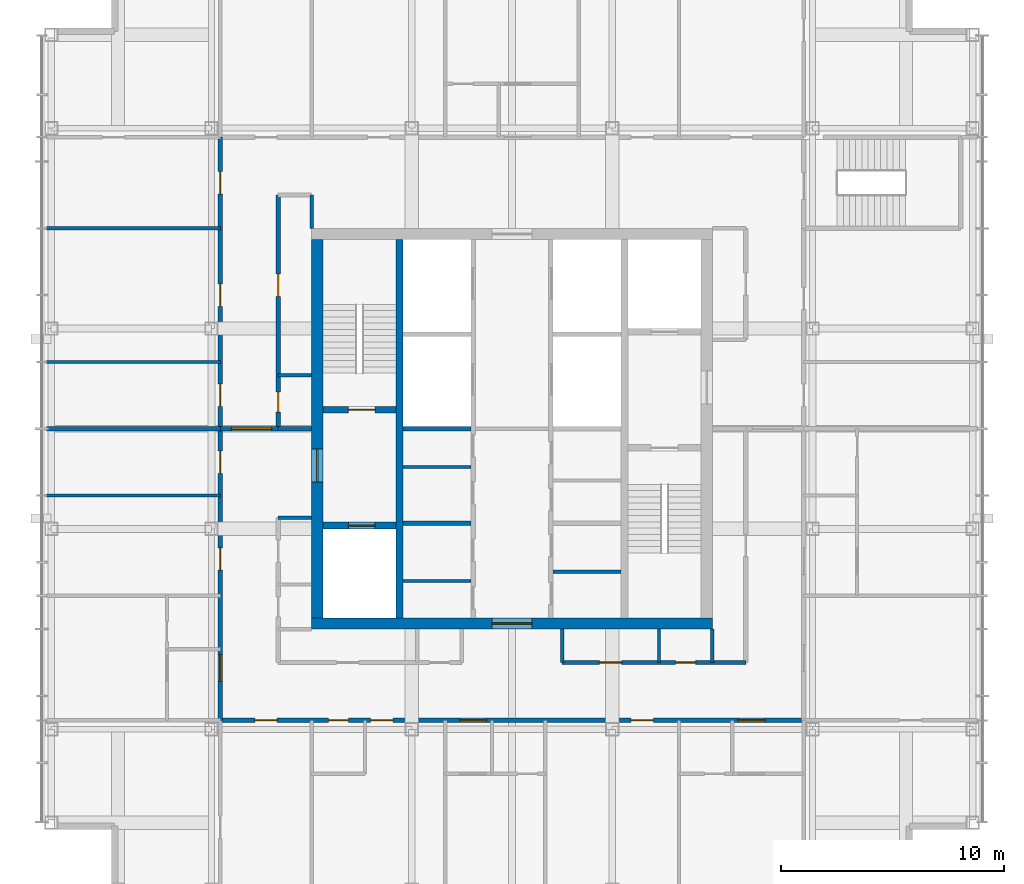
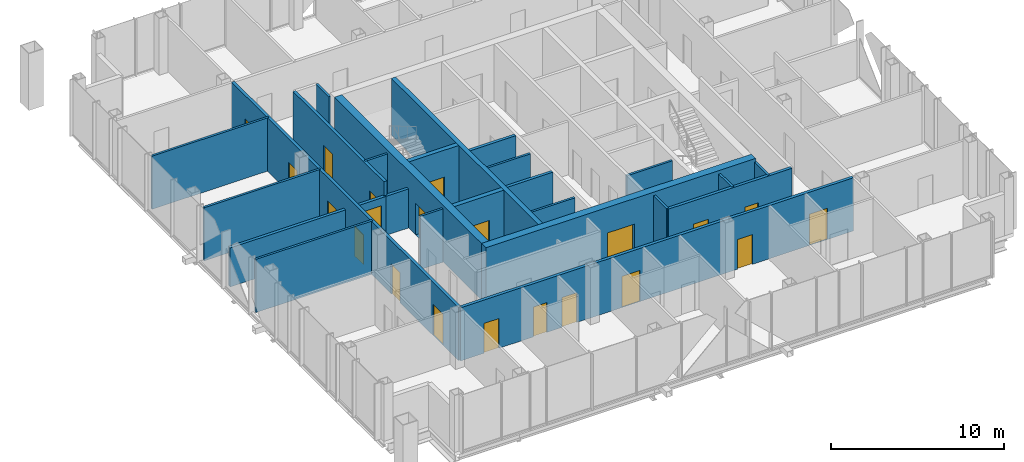
# One storey, part 8 of 12: 26 walls, 21 doors, 21 openings.
"""IFC4 building model written with IfcOpenShell, lengths in metres."""

from ifc_helpers import new_model, si_unit, direction, frame, frame_2d, origin, place, context, subcontext, project, spatial, rectangle, extrude, material, layer, layer_set, type_object, element, fill, save


model = new_model("IFC4")

# Units and contexts
model_context = context("Model", 3, precision=1e-05, world=origin(), true_north=direction((0.0, 1.0)))
body_context = subcontext(model_context, "Body", "Model", "MODEL_VIEW")
ifc_project = project(units=[si_unit("LENGTHUNIT", "METRE"), si_unit("AREAUNIT", "SQUARE_METRE"), si_unit("VOLUMEUNIT", "CUBIC_METRE"), si_unit("PLANEANGLEUNIT", "RADIAN"), si_unit("MASSUNIT", "GRAM", prefix="KILO")], contexts=[model_context])

# Site, building, storey
site_placement = place(None, origin())
site = spatial("IfcSite", under=ifc_project, at=site_placement, CompositionType="ELEMENT")
building_placement = place(site_placement, origin())
building = spatial("IfcBuilding", under=site, at=building_placement, Name="Malebo Sky Hospital", CompositionType="ELEMENT")
storey_placement = place(building_placement, frame((0.0, 0.0, 266.0)))
storey = spatial("IfcBuildingStorey", under=building, at=storey_placement, Name="L64", CompositionType="ELEMENT", Elevation=266.0)

# Walls
ifc_material_1 = material(Name="Concrete C80/95", Category="concrete")
ifc_layer_1 = layer(ifc_material_1, 0.199951171875)
ifc_layer_set_1 = layer_set([ifc_layer_1], Name="CORE INNER WALL 200")
wall_type_1 = type_object("IfcWallType", Name="CORE INNER WALL 200", PredefinedType="SHEAR", material=ifc_layer_set_1)
for number, where, z_axis, x_axis, name in (
    (1, (55.10009765625, 57.75, 0.0), (0.0, 0.0, 1.0), (1.0, 0.0, 0.0), "Core wall SW0 L64"),
    (2, (55.10009765625, 62.0, 0.0), (0.0, 0.0, 1.0), (1.0, 0.0, 0.0), "Core wall SW1 L64"),
):
    element("IfcWall", number, at=place(storey_placement, frame(where, z_axis=z_axis, x_axis=x_axis)), inside=storey, type_object=wall_type_1, Name=name, PredefinedType="SHEAR", context=body_context, shape_type="SweptSolid", body=[
        extrude(rectangle(XDim=3.0498046875, YDim=0.199951171875, at=frame_2d((1.52490234375, 0.0))), origin(), (0.0, 0.0, 1.0), 4.0),
    ])
ifc_layer_2 = layer(ifc_material_1, 0.300048828125)
ifc_layer_set_2 = layer_set([ifc_layer_2], Name="CORE INNER WALL 300")
wall_type_2 = type_object("IfcWallType", Name="CORE INNER WALL 300", PredefinedType="SHEAR", material=ifc_layer_set_2)
wall_1_placement = place(storey_placement, frame((54.949951171875, 53.5, 0.0), z_axis=(0.0, 0.0, 1.0), x_axis=(0.0, 1.0, 0.0)))
element("IfcWall", 3, at=wall_1_placement, inside=storey, type_object=wall_type_2, Name="Core wall XW L64", PredefinedType="SHEAR", context=body_context, shape_type="SweptSolid", body=[
    extrude(rectangle(XDim=17.0, YDim=0.300048828125, at=frame_2d((8.5, 0.0))), origin(), (0.0, 0.0, 1.0), 4.0),
])

# Wall, opening, door
wall_2_placement = place(storey_placement, frame((51.5, 62.85009765625, 0.0), z_axis=(0.0, 0.0, 1.0), x_axis=(1.0, 0.0, 0.0)))
wall_2 = element("IfcWall", 4, at=wall_2_placement, inside=storey, type_object=wall_type_2, Name="Core wall W1 L64", PredefinedType="SHEAR", context=body_context, shape_type="SweptSolid", body=[
    extrude(rectangle(XDim=3.300048828125, YDim=0.300048828125, at=frame_2d((1.64990234375, 0.0))), origin(), (0.0, 0.0, 1.0), 4.0),
])
opening_1_placement = place(wall_2_placement, frame((1.14990234375, 0.0, 0.0)))
opening_1 = element("IfcOpeningElement", 5, at=opening_1_placement, cuts=wall_2, Name="Opening D08", PredefinedType="OPENING", context=body_context, shape_type="SweptSolid", body=[
    extrude(rectangle(XDim=1.199951171875, YDim=2.10009765625, at=frame_2d((0.60009765625, 1.050048828125))), frame((0.0, 0.159912109375, 0.0), z_axis=(0.0, -1.0, 0.0), x_axis=(1.0, 0.0, 0.0)), (0.0, 0.0, 1.0), 0.320068359375),
])
ifc_material_2 = material(Name="Hardwood-faced door leaf in steel frame", Category="steel")
door_type_1 = type_object("IfcDoorType", Name="STAIR DOOR 1200", OperationType="SINGLE_SWING_LEFT", PredefinedType="DOOR", material=ifc_material_2)
door_1_placement = place(opening_1_placement, origin())
door_1 = element("IfcDoor", 6, at=door_1_placement, inside=storey, type_object=door_type_1, Name="Stair S1 door", OperationType="SINGLE_SWING_RIGHT", OverallHeight=2.10009765625, OverallWidth=1.199951171875, PredefinedType="DOOR", context=body_context, shape_type="SweptSolid", body=[
    extrude(rectangle(XDim=1.199951171875, YDim=2.10009765625, at=frame_2d((0.60009765625, 1.050048828125))), frame((0.0, 0.02490234375, 0.0), z_axis=(0.0, -1.0, 0.0), x_axis=(1.0, 0.0, 0.0)), (0.0, 0.0, 1.0), 0.050048828125),
])
fill(opening_1, door_1)

wall_3_placement = place(storey_placement, frame((51.5, 57.64990234375, 0.0), z_axis=(0.0, 0.0, 1.0), x_axis=(1.0, 0.0, 0.0)))
wall_3 = element("IfcWall", 7, at=wall_3_placement, inside=storey, type_object=wall_type_2, Name="Core wall W2 L64", PredefinedType="SHEAR", context=body_context, shape_type="SweptSolid", body=[
    extrude(rectangle(XDim=3.300048828125, YDim=0.300048828125, at=frame_2d((1.64990234375, 0.0))), origin(), (0.0, 0.0, 1.0), 4.0),
])
opening_2_placement = place(wall_3_placement, frame((1.14990234375, 0.0, 0.0)))
opening_2 = element("IfcOpeningElement", 8, at=opening_2_placement, cuts=wall_3, Name="Opening LD2", PredefinedType="OPENING", context=body_context, shape_type="SweptSolid", body=[
    extrude(rectangle(XDim=1.199951171875, YDim=2.199951171875, at=frame_2d((0.60009765625, 1.10009765625))), frame((0.0, 0.159912109375, 0.0), z_axis=(0.0, -1.0, 0.0), x_axis=(1.0, 0.0, 0.0)), (0.0, 0.0, 1.0), 0.320068359375),
])
ifc_material_3 = material(Name="Stainless steel sliding landing door", Category="steel")
door_type_2 = type_object("IfcDoorType", Name="FIRE-FIGHTING LIFT LANDING DOOR 1200", OperationType="SLIDING_TO_LEFT", PredefinedType="DOOR", material=ifc_material_3)
door_2_placement = place(opening_2_placement, origin())
door_2 = element("IfcDoor", 9, at=door_2_placement, inside=storey, type_object=door_type_2, Name="Lift FL1 landing door", OperationType="SLIDING_TO_LEFT", OverallHeight=2.199951171875, OverallWidth=1.199951171875, PredefinedType="DOOR", context=body_context, shape_type="SweptSolid", body=[
    extrude(rectangle(XDim=1.199951171875, YDim=2.199951171875, at=frame_2d((0.60009765625, 1.10009765625))), frame((0.0, 0.02490234375, 0.0), z_axis=(0.0, -1.0, 0.0), x_axis=(1.0, 0.0, 0.0)), (0.0, 0.0, 1.0), 0.050048828125),
])
fill(opening_2, door_2)

ifc_layer_3 = layer(ifc_material_1, 0.5)
ifc_layer_set_3 = layer_set([ifc_layer_3], Name="CORE WALL 500")
wall_type_3 = type_object("IfcWallType", Name="CORE WALL 500", PredefinedType="SHEAR", material=ifc_layer_set_3)
wall_4_placement = place(storey_placement, frame((51.0, 53.25, 0.0), z_axis=(0.0, 0.0, 1.0), x_axis=(1.0, 0.0, 0.0)))
wall_4 = element("IfcWall", 10, at=wall_4_placement, inside=storey, type_object=wall_type_3, Name="Core wall S L64", PredefinedType="SHEAR", context=body_context, shape_type="SweptSolid", body=[
    extrude(rectangle(XDim=18.0, YDim=0.5, at=frame_2d((9.0, 0.0))), origin(), (0.0, 0.0, 1.0), 4.0),
])
opening_3_placement = place(wall_4_placement, frame((8.10009765625, 0.0, 0.0)))
opening_3 = element("IfcOpeningElement", 11, at=opening_3_placement, cuts=wall_4, Name="Opening D06", PredefinedType="OPENING", context=body_context, shape_type="SweptSolid", body=[
    extrude(rectangle(XDim=1.800048828125, YDim=2.199951171875, at=frame_2d((0.89990234375, 1.10009765625))), frame((0.0, 0.260009765625, 0.0), z_axis=(0.0, -1.0, 0.0), x_axis=(1.0, 0.0, 0.0)), (0.0, 0.0, 1.0), 0.52001953125),
])
door_type_3 = type_object("IfcDoorType", Name="LOBBY DOOR PAIR 1800", OperationType="DOUBLE_DOOR_SINGLE_SWING", PredefinedType="DOOR", material=ifc_material_2)
door_3_placement = place(opening_3_placement, origin())
door_3 = element("IfcDoor", 12, at=door_3_placement, inside=storey, type_object=door_type_3, Name="Service lobby door south", OperationType="DOUBLE_DOOR_SINGLE_SWING", OverallHeight=2.199951171875, OverallWidth=1.800048828125, PredefinedType="DOOR", context=body_context, shape_type="SweptSolid", body=[
    extrude(rectangle(XDim=1.800048828125, YDim=2.199951171875, at=frame_2d((0.89990234375, 1.10009765625))), frame((0.0, 0.02490234375, 0.0), z_axis=(0.0, -1.0, 0.0), x_axis=(1.0, 0.0, 0.0)), (0.0, 0.0, 1.0), 0.050048828125),
])
fill(opening_3, door_3)

wall_5_placement = place(storey_placement, frame((51.25, 53.5, 0.0), z_axis=(0.0, 0.0, 1.0), x_axis=(0.0, 1.0, 0.0)))
wall_5 = element("IfcWall", 13, at=wall_5_placement, inside=storey, type_object=wall_type_3, Name="Core wall W L64", PredefinedType="SHEAR", context=body_context, shape_type="SweptSolid", body=[
    extrude(rectangle(XDim=17.0, YDim=0.5, at=frame_2d((8.5, 0.0))), origin(), (0.0, 0.0, 1.0), 4.0),
])
opening_4_placement = place(wall_5_placement, frame((6.10009765625, 0.0, 0.0)))
opening_4 = element("IfcOpeningElement", 14, at=opening_4_placement, cuts=wall_5, Name="Opening D07", PredefinedType="OPENING", context=body_context, shape_type="SweptSolid", body=[
    extrude(rectangle(XDim=1.5, YDim=2.199951171875, at=frame_2d((0.75, 1.10009765625))), frame((0.0, 0.260009765625, 0.0), z_axis=(0.0, -1.0, 0.0), x_axis=(1.0, 0.0, 0.0)), (0.0, 0.0, 1.0), 0.52001953125),
])
door_type_4 = type_object("IfcDoorType", Name="FIRE-FIGHTING LOBBY DOOR PAIR 1500", OperationType="DOUBLE_DOOR_SINGLE_SWING", PredefinedType="DOOR", material=ifc_material_2)
door_4_placement = place(opening_4_placement, origin())
door_4 = element("IfcDoor", 15, at=door_4_placement, inside=storey, type_object=door_type_4, Name="Fire-fighting lobby door west", OperationType="DOUBLE_DOOR_SINGLE_SWING", OverallHeight=2.199951171875, OverallWidth=1.5, PredefinedType="DOOR", context=body_context, shape_type="SweptSolid", body=[
    extrude(rectangle(XDim=1.5, YDim=2.199951171875, at=frame_2d((0.75, 1.10009765625))), frame((0.0, 0.02490234375, 0.0), z_axis=(0.0, -1.0, 0.0), x_axis=(1.0, 0.0, 0.0)), (0.0, 0.0, 1.0), 0.050048828125),
])
fill(opening_4, door_4)

# Wall, openings, doors
ifc_material_4 = material(Name="Gypsum board on steel studs", Category="steel")
ifc_layer_4 = layer(ifc_material_4, 0.199951171875)
ifc_layer_set_4 = layer_set([ifc_layer_4], Name="CORRIDOR WALL 200")
wall_type_4 = type_object("IfcWallType", Name="CORRIDOR WALL 200", PredefinedType="PARTITIONING", material=ifc_layer_set_4)
wall_6_placement = place(storey_placement, frame((46.89990234375, 48.89990234375, 0.0), z_axis=(0.0, 0.0, 1.0), x_axis=(0.0, 1.0, 0.0)))
wall_6 = element("IfcWall", 16, at=wall_6_placement, inside=storey, type_object=wall_type_4, Name="Corridor Wall 200 WCO", PredefinedType="PARTITIONING", context=body_context, shape_type="SweptSolid", body=[
    extrude(rectangle(XDim=26.2001953125, YDim=0.199951171875, at=frame_2d((13.10009765625, 0.0))), origin(), (0.0, 0.0, 1.0), 3.75),
])
opening_5_placement = place(wall_6_placement, frame((1.75, 0.0, 0.0)))
opening_5 = element("IfcOpeningElement", 17, at=opening_5_placement, cuts=wall_6, Name="Opening D18", PredefinedType="OPENING", context=body_context, shape_type="SweptSolid", body=[
    extrude(rectangle(XDim=1.199951171875, YDim=2.199951171875, at=frame_2d((0.60009765625, 1.10009765625))), frame((0.0, 0.10986328125, 0.0), z_axis=(0.0, -1.0, 0.0), x_axis=(1.0, 0.0, 0.0)), (0.0, 0.0, 1.0), 0.219970703125),
])
opening_6_placement = place(wall_6_placement, frame((6.75, 0.0, 0.0)))
opening_6 = element("IfcOpeningElement", 18, at=opening_6_placement, cuts=wall_6, Name="Opening D03", PredefinedType="OPENING", context=body_context, shape_type="SweptSolid", body=[
    extrude(rectangle(XDim=1.0, YDim=2.10009765625, at=frame_2d((0.5, 1.050048828125))), frame((0.0, 0.10986328125, 0.0), z_axis=(0.0, -1.0, 0.0), x_axis=(1.0, 0.0, 0.0)), (0.0, 0.0, 1.0), 0.219970703125),
])
opening_7_placement = place(wall_6_placement, frame((11.10009765625, 0.0, 0.0)))
opening_7 = element("IfcOpeningElement", 19, at=opening_7_placement, cuts=wall_6, Name="Opening D03", PredefinedType="OPENING", context=body_context, shape_type="SweptSolid", body=[
    extrude(rectangle(XDim=1.0, YDim=2.10009765625, at=frame_2d((0.5, 1.050048828125))), frame((0.0, 0.10986328125, 0.0), z_axis=(0.0, -1.0, 0.0), x_axis=(1.0, 0.0, 0.0)), (0.0, 0.0, 1.0), 0.219970703125),
])
opening_8_placement = place(wall_6_placement, frame((14.10009765625, 0.0, 0.0)))
opening_8 = element("IfcOpeningElement", 20, at=opening_8_placement, cuts=wall_6, Name="Opening D03", PredefinedType="OPENING", context=body_context, shape_type="SweptSolid", body=[
    extrude(rectangle(XDim=1.0, YDim=2.10009765625, at=frame_2d((0.5, 1.050048828125))), frame((0.0, 0.10986328125, 0.0), z_axis=(0.0, -1.0, 0.0), x_axis=(1.0, 0.0, 0.0)), (0.0, 0.0, 1.0), 0.219970703125),
])
opening_9_placement = place(wall_6_placement, frame((18.60009765625, 0.0, 0.0)))
opening_9 = element("IfcOpeningElement", 21, at=opening_9_placement, cuts=wall_6, Name="Opening D03", PredefinedType="OPENING", context=body_context, shape_type="SweptSolid", body=[
    extrude(rectangle(XDim=1.0, YDim=2.10009765625, at=frame_2d((0.5, 1.050048828125))), frame((0.0, 0.10986328125, 0.0), z_axis=(0.0, -1.0, 0.0), x_axis=(1.0, 0.0, 0.0)), (0.0, 0.0, 1.0), 0.219970703125),
])
opening_10_placement = place(wall_6_placement, frame((23.64990234375, 0.0, 0.0)))
opening_10 = element("IfcOpeningElement", 22, at=opening_10_placement, cuts=wall_6, Name="Opening D03", PredefinedType="OPENING", context=body_context, shape_type="SweptSolid", body=[
    extrude(rectangle(XDim=1.0, YDim=2.10009765625, at=frame_2d((0.5, 1.050048828125))), frame((0.0, 0.10986328125, 0.0), z_axis=(0.0, -1.0, 0.0), x_axis=(1.0, 0.0, 0.0)), (0.0, 0.0, 1.0), 0.219970703125),
])
door_type_5 = type_object("IfcDoorType", Name="ANTEROOM DOOR 1200", OperationType="SINGLE_SWING_LEFT", PredefinedType="DOOR", material=ifc_material_2)
door_5_placement = place(opening_5_placement, origin())
door_5 = element("IfcDoor", 23, at=door_5_placement, inside=storey, type_object=door_type_5, Name="Anteroom door", OperationType="SINGLE_SWING_RIGHT", OverallHeight=2.199951171875, OverallWidth=1.199951171875, PredefinedType="DOOR", context=body_context, shape_type="SweptSolid", body=[
    extrude(rectangle(XDim=1.199951171875, YDim=2.199951171875, at=frame_2d((0.60009765625, 1.10009765625))), frame((0.0, 0.02490234375, 0.0), z_axis=(0.0, -1.0, 0.0), x_axis=(1.0, 0.0, 0.0)), (0.0, 0.0, 1.0), 0.050048828125),
])
fill(opening_5, door_5)
door_type_6 = type_object("IfcDoorType", Name="ROOM DOOR 1000", OperationType="SINGLE_SWING_LEFT", PredefinedType="DOOR", material=ifc_material_2)
door_6_placement = place(opening_6_placement, origin())
door_6 = element("IfcDoor", 24, at=door_6_placement, inside=storey, type_object=door_type_6, Name="Treatment room door", OperationType="SINGLE_SWING_LEFT", OverallHeight=2.10009765625, OverallWidth=1.0, PredefinedType="DOOR", context=body_context, shape_type="SweptSolid", body=[
    extrude(rectangle(XDim=1.0, YDim=2.10009765625, at=frame_2d((0.5, 1.050048828125))), frame((0.0, 0.02490234375, 0.0), z_axis=(0.0, -1.0, 0.0), x_axis=(1.0, 0.0, 0.0)), (0.0, 0.0, 1.0), 0.050048828125),
])
fill(opening_6, door_6)
door_7_placement = place(opening_7_placement, origin())
door_7 = element("IfcDoor", 25, at=door_7_placement, inside=storey, type_object=door_type_6, Name="Medication room door", OperationType="SINGLE_SWING_RIGHT", OverallHeight=2.10009765625, OverallWidth=1.0, PredefinedType="DOOR", context=body_context, shape_type="SweptSolid", body=[
    extrude(rectangle(XDim=1.0, YDim=2.10009765625, at=frame_2d((0.5, 1.050048828125))), frame((0.0, 0.02490234375, 0.0), z_axis=(0.0, -1.0, 0.0), x_axis=(1.0, 0.0, 0.0)), (0.0, 0.0, 1.0), 0.050048828125),
])
fill(opening_7, door_7)
door_8_placement = place(opening_8_placement, origin())
door_8 = element("IfcDoor", 26, at=door_8_placement, inside=storey, type_object=door_type_6, Name="Ward office door", OperationType="SINGLE_SWING_LEFT", OverallHeight=2.10009765625, OverallWidth=1.0, PredefinedType="DOOR", context=body_context, shape_type="SweptSolid", body=[
    extrude(rectangle(XDim=1.0, YDim=2.10009765625, at=frame_2d((0.5, 1.050048828125))), frame((0.0, 0.02490234375, 0.0), z_axis=(0.0, -1.0, 0.0), x_axis=(1.0, 0.0, 0.0)), (0.0, 0.0, 1.0), 0.050048828125),
])
fill(opening_8, door_8)
door_9_placement = place(opening_9_placement, origin())
door_9 = element("IfcDoor", 27, at=door_9_placement, inside=storey, type_object=door_type_6, Name="Interview room door", OperationType="SINGLE_SWING_LEFT", OverallHeight=2.10009765625, OverallWidth=1.0, PredefinedType="DOOR", context=body_context, shape_type="SweptSolid", body=[
    extrude(rectangle(XDim=1.0, YDim=2.10009765625, at=frame_2d((0.5, 1.050048828125))), frame((0.0, 0.02490234375, 0.0), z_axis=(0.0, -1.0, 0.0), x_axis=(1.0, 0.0, 0.0)), (0.0, 0.0, 1.0), 0.050048828125),
])
fill(opening_9, door_9)
door_10_placement = place(opening_10_placement, origin())
door_10 = element("IfcDoor", 28, at=door_10_placement, inside=storey, type_object=door_type_6, Name="Exercise room door", OperationType="SINGLE_SWING_RIGHT", OverallHeight=2.10009765625, OverallWidth=1.0, PredefinedType="DOOR", context=body_context, shape_type="SweptSolid", body=[
    extrude(rectangle(XDim=1.0, YDim=2.10009765625, at=frame_2d((0.5, 1.050048828125))), frame((0.0, 0.02490234375, 0.0), z_axis=(0.0, -1.0, 0.0), x_axis=(1.0, 0.0, 0.0)), (0.0, 0.0, 1.0), 0.050048828125),
])
fill(opening_10, door_10)

wall_7_placement = place(storey_placement, frame((49.5, 62.0, 0.0), z_axis=(0.0, 0.0, 1.0), x_axis=(0.0, 1.0, 0.0)))
wall_7 = element("IfcWall", 29, at=wall_7_placement, inside=storey, type_object=wall_type_4, Name="Corridor Wall 200 WCI2", PredefinedType="PARTITIONING", context=body_context, shape_type="SweptSolid", body=[
    extrude(rectangle(XDim=10.5, YDim=0.199951171875, at=frame_2d((5.25, 0.0))), origin(), (0.0, 0.0, 1.0), 3.75),
])
opening_11_placement = place(wall_7_placement, frame((0.75, 0.0, 0.0)))
opening_11 = element("IfcOpeningElement", 30, at=opening_11_placement, cuts=wall_7, Name="Opening D04", PredefinedType="OPENING", context=body_context, shape_type="SweptSolid", body=[
    extrude(rectangle(XDim=0.89990234375, YDim=2.10009765625, at=frame_2d((0.449951171875, 1.050048828125))), frame((0.0, 0.10986328125, 0.0), z_axis=(0.0, -1.0, 0.0), x_axis=(1.0, 0.0, 0.0)), (0.0, 0.0, 1.0), 0.219970703125),
])
opening_12_placement = place(wall_7_placement, frame((5.949951171875, 0.0, 0.0)))
opening_12 = element("IfcOpeningElement", 31, at=opening_12_placement, cuts=wall_7, Name="Opening D03", PredefinedType="OPENING", context=body_context, shape_type="SweptSolid", body=[
    extrude(rectangle(XDim=1.0, YDim=2.10009765625, at=frame_2d((0.5, 1.050048828125))), frame((0.0, 0.10986328125, 0.0), z_axis=(0.0, -1.0, 0.0), x_axis=(1.0, 0.0, 0.0)), (0.0, 0.0, 1.0), 0.219970703125),
])
door_11_placement = place(opening_12_placement, origin())
door_11 = element("IfcDoor", 32, at=door_11_placement, inside=storey, type_object=door_type_6, Name="Equipment store door", OperationType="SINGLE_SWING_RIGHT", OverallHeight=2.10009765625, OverallWidth=1.0, PredefinedType="DOOR", context=body_context, shape_type="SweptSolid", body=[
    extrude(rectangle(XDim=1.0, YDim=2.10009765625, at=frame_2d((0.5, 1.050048828125))), frame((0.0, 0.02490234375, 0.0), z_axis=(0.0, -1.0, 0.0), x_axis=(1.0, 0.0, 0.0)), (0.0, 0.0, 1.0), 0.050048828125),
])
fill(opening_12, door_11)
door_type_7 = type_object("IfcDoorType", Name="ROOM DOOR 900", OperationType="SINGLE_SWING_LEFT", PredefinedType="DOOR", material=ifc_material_2)
door_12_placement = place(opening_11_placement, origin())
door_12 = element("IfcDoor", 33, at=door_12_placement, inside=storey, type_object=door_type_7, Name="Cleaner's room door", OperationType="SINGLE_SWING_LEFT", OverallHeight=2.10009765625, OverallWidth=0.89990234375, PredefinedType="DOOR", context=body_context, shape_type="SweptSolid", body=[
    extrude(rectangle(XDim=0.89990234375, YDim=2.10009765625, at=frame_2d((0.449951171875, 1.050048828125))), frame((0.0, 0.02490234375, 0.0), z_axis=(0.0, -1.0, 0.0), x_axis=(1.0, 0.0, 0.0)), (0.0, 0.0, 1.0), 0.050048828125),
])
fill(opening_11, door_12)

wall_8_placement = place(storey_placement, frame((73.10009765625, 48.89990234375, 0.0), z_axis=(0.0, 0.0, 1.0), x_axis=(-1.0, 0.0, 0.0)))
wall_8 = element("IfcWall", 34, at=wall_8_placement, inside=storey, type_object=wall_type_4, Name="Corridor Wall 200 SCO", PredefinedType="PARTITIONING", context=body_context, shape_type="SweptSolid", body=[
    extrude(rectangle(XDim=26.2001953125, YDim=0.199951171875, at=frame_2d((13.10009765625, 0.0))), origin(), (0.0, 0.0, 1.0), 3.75),
])
opening_13_placement = place(wall_8_placement, frame((1.75, 0.0, 0.0)))
opening_13 = element("IfcOpeningElement", 35, at=opening_13_placement, cuts=wall_8, Name="Opening D18", PredefinedType="OPENING", context=body_context, shape_type="SweptSolid", body=[
    extrude(rectangle(XDim=1.199951171875, YDim=2.199951171875, at=frame_2d((0.60009765625, 1.10009765625))), frame((0.0, 0.10986328125, 0.0), z_axis=(0.0, -1.0, 0.0), x_axis=(1.0, 0.0, 0.0)), (0.0, 0.0, 1.0), 0.219970703125),
])
opening_14_placement = place(wall_8_placement, frame((6.75, 0.0, 0.0)))
opening_14 = element("IfcOpeningElement", 36, at=opening_14_placement, cuts=wall_8, Name="Opening D03", PredefinedType="OPENING", context=body_context, shape_type="SweptSolid", body=[
    extrude(rectangle(XDim=1.0, YDim=2.10009765625, at=frame_2d((0.5, 1.050048828125))), frame((0.0, 0.10986328125, 0.0), z_axis=(0.0, -1.0, 0.0), x_axis=(1.0, 0.0, 0.0)), (0.0, 0.0, 1.0), 0.219970703125),
])
opening_15_placement = place(wall_8_placement, frame((14.25, 0.0, 0.0)))
opening_15 = element("IfcOpeningElement", 37, at=opening_15_placement, cuts=wall_8, Name="Opening D18", PredefinedType="OPENING", context=body_context, shape_type="SweptSolid", body=[
    extrude(rectangle(XDim=1.199951171875, YDim=2.199951171875, at=frame_2d((0.60009765625, 1.10009765625))), frame((0.0, 0.10986328125, 0.0), z_axis=(0.0, -1.0, 0.0), x_axis=(1.0, 0.0, 0.0)), (0.0, 0.0, 1.0), 0.219970703125),
])
opening_16_placement = place(wall_8_placement, frame((20.449951171875, 0.0, 0.0)))
opening_16 = element("IfcOpeningElement", 38, at=opening_16_placement, cuts=wall_8, Name="Opening D04", PredefinedType="OPENING", context=body_context, shape_type="SweptSolid", body=[
    extrude(rectangle(XDim=0.89990234375, YDim=2.10009765625, at=frame_2d((0.449951171875, 1.050048828125))), frame((0.0, 0.10986328125, 0.0), z_axis=(0.0, -1.0, 0.0), x_axis=(1.0, 0.0, 0.0)), (0.0, 0.0, 1.0), 0.219970703125),
])
opening_17_placement = place(wall_8_placement, frame((18.449951171875, 0.0, 0.0)))
opening_17 = element("IfcOpeningElement", 39, at=opening_17_placement, cuts=wall_8, Name="Opening D03", PredefinedType="OPENING", context=body_context, shape_type="SweptSolid", body=[
    extrude(rectangle(XDim=1.0, YDim=2.10009765625, at=frame_2d((0.5, 1.050048828125))), frame((0.0, 0.10986328125, 0.0), z_axis=(0.0, -1.0, 0.0), x_axis=(1.0, 0.0, 0.0)), (0.0, 0.0, 1.0), 0.219970703125),
])
opening_18_placement = place(wall_8_placement, frame((23.64990234375, 0.0, 0.0)))
opening_18 = element("IfcOpeningElement", 40, at=opening_18_placement, cuts=wall_8, Name="Opening D03", PredefinedType="OPENING", context=body_context, shape_type="SweptSolid", body=[
    extrude(rectangle(XDim=1.0, YDim=2.10009765625, at=frame_2d((0.5, 1.050048828125))), frame((0.0, 0.10986328125, 0.0), z_axis=(0.0, -1.0, 0.0), x_axis=(1.0, 0.0, 0.0)), (0.0, 0.0, 1.0), 0.219970703125),
])
door_13_placement = place(opening_13_placement, origin())
door_13 = element("IfcDoor", 41, at=door_13_placement, inside=storey, type_object=door_type_5, Name="Anteroom door", OperationType="SINGLE_SWING_RIGHT", OverallHeight=2.199951171875, OverallWidth=1.199951171875, PredefinedType="DOOR", context=body_context, shape_type="SweptSolid", body=[
    extrude(rectangle(XDim=1.199951171875, YDim=2.199951171875, at=frame_2d((0.60009765625, 1.10009765625))), frame((0.0, 0.02490234375, 0.0), z_axis=(0.0, -1.0, 0.0), x_axis=(1.0, 0.0, 0.0)), (0.0, 0.0, 1.0), 0.050048828125),
])
fill(opening_13, door_13)
door_14_placement = place(opening_15_placement, origin())
door_14 = element("IfcDoor", 42, at=door_14_placement, inside=storey, type_object=door_type_5, Name="Anteroom door", OperationType="SINGLE_SWING_LEFT", OverallHeight=2.199951171875, OverallWidth=1.199951171875, PredefinedType="DOOR", context=body_context, shape_type="SweptSolid", body=[
    extrude(rectangle(XDim=1.199951171875, YDim=2.199951171875, at=frame_2d((0.60009765625, 1.10009765625))), frame((0.0, 0.02490234375, 0.0), z_axis=(0.0, -1.0, 0.0), x_axis=(1.0, 0.0, 0.0)), (0.0, 0.0, 1.0), 0.050048828125),
])
fill(opening_15, door_14)
door_15_placement = place(opening_14_placement, origin())
door_15 = element("IfcDoor", 43, at=door_15_placement, inside=storey, type_object=door_type_6, Name="Family room door", OperationType="SINGLE_SWING_LEFT", OverallHeight=2.10009765625, OverallWidth=1.0, PredefinedType="DOOR", context=body_context, shape_type="SweptSolid", body=[
    extrude(rectangle(XDim=1.0, YDim=2.10009765625, at=frame_2d((0.5, 1.050048828125))), frame((0.0, 0.02490234375, 0.0), z_axis=(0.0, -1.0, 0.0), x_axis=(1.0, 0.0, 0.0)), (0.0, 0.0, 1.0), 0.050048828125),
])
fill(opening_14, door_15)
door_16_placement = place(opening_17_placement, origin())
door_16 = element("IfcDoor", 44, at=door_16_placement, inside=storey, type_object=door_type_6, Name="Staff rest room door", OperationType="SINGLE_SWING_RIGHT", OverallHeight=2.10009765625, OverallWidth=1.0, PredefinedType="DOOR", context=body_context, shape_type="SweptSolid", body=[
    extrude(rectangle(XDim=1.0, YDim=2.10009765625, at=frame_2d((0.5, 1.050048828125))), frame((0.0, 0.02490234375, 0.0), z_axis=(0.0, -1.0, 0.0), x_axis=(1.0, 0.0, 0.0)), (0.0, 0.0, 1.0), 0.050048828125),
])
fill(opening_17, door_16)
door_17_placement = place(opening_18_placement, origin())
door_17 = element("IfcDoor", 45, at=door_17_placement, inside=storey, type_object=door_type_6, Name="Patient lounge door", OperationType="SINGLE_SWING_RIGHT", OverallHeight=2.10009765625, OverallWidth=1.0, PredefinedType="DOOR", context=body_context, shape_type="SweptSolid", body=[
    extrude(rectangle(XDim=1.0, YDim=2.10009765625, at=frame_2d((0.5, 1.050048828125))), frame((0.0, 0.02490234375, 0.0), z_axis=(0.0, -1.0, 0.0), x_axis=(1.0, 0.0, 0.0)), (0.0, 0.0, 1.0), 0.050048828125),
])
fill(opening_18, door_17)
door_18_placement = place(opening_16_placement, origin())
door_18 = element("IfcDoor", 46, at=door_18_placement, inside=storey, type_object=door_type_7, Name="Accessible WC door", OperationType="SINGLE_SWING_LEFT", OverallHeight=2.10009765625, OverallWidth=0.89990234375, PredefinedType="DOOR", context=body_context, shape_type="SweptSolid", body=[
    extrude(rectangle(XDim=0.89990234375, YDim=2.10009765625, at=frame_2d((0.449951171875, 1.050048828125))), frame((0.0, 0.02490234375, 0.0), z_axis=(0.0, -1.0, 0.0), x_axis=(1.0, 0.0, 0.0)), (0.0, 0.0, 1.0), 0.050048828125),
])
fill(opening_16, door_18)

wall_9_placement = place(storey_placement, frame((70.5, 51.5, 0.0), z_axis=(0.0, 0.0, 1.0), x_axis=(-1.0, 0.0, 0.0)))
wall_9 = element("IfcWall", 47, at=wall_9_placement, inside=storey, type_object=wall_type_4, Name="Corridor Wall 200 SCI1", PredefinedType="PARTITIONING", context=body_context, shape_type="SweptSolid", body=[
    extrude(rectangle(XDim=8.25, YDim=0.199951171875, at=frame_2d((4.125, 0.0))), origin(), (0.0, 0.0, 1.0), 3.75),
])
opening_19_placement = place(wall_9_placement, frame((2.25, 0.0, 0.0)))
opening_19 = element("IfcOpeningElement", 48, at=opening_19_placement, cuts=wall_9, Name="Opening D04", PredefinedType="OPENING", context=body_context, shape_type="SweptSolid", body=[
    extrude(rectangle(XDim=0.89990234375, YDim=2.10009765625, at=frame_2d((0.449951171875, 1.050048828125))), frame((0.0, 0.10986328125, 0.0), z_axis=(0.0, -1.0, 0.0), x_axis=(1.0, 0.0, 0.0)), (0.0, 0.0, 1.0), 0.219970703125),
])
opening_20_placement = place(wall_9_placement, frame((5.574951171875, 0.0, 0.0)))
opening_20 = element("IfcOpeningElement", 49, at=opening_20_placement, cuts=wall_9, Name="Opening D03", PredefinedType="OPENING", context=body_context, shape_type="SweptSolid", body=[
    extrude(rectangle(XDim=1.0, YDim=2.10009765625, at=frame_2d((0.5, 1.050048828125))), frame((0.0, 0.10986328125, 0.0), z_axis=(0.0, -1.0, 0.0), x_axis=(1.0, 0.0, 0.0)), (0.0, 0.0, 1.0), 0.219970703125),
])
door_19_placement = place(opening_20_placement, origin())
door_19 = element("IfcDoor", 50, at=door_19_placement, inside=storey, type_object=door_type_6, Name="Supplies store door", OperationType="SINGLE_SWING_LEFT", OverallHeight=2.10009765625, OverallWidth=1.0, PredefinedType="DOOR", context=body_context, shape_type="SweptSolid", body=[
    extrude(rectangle(XDim=1.0, YDim=2.10009765625, at=frame_2d((0.5, 1.050048828125))), frame((0.0, 0.02490234375, 0.0), z_axis=(0.0, -1.0, 0.0), x_axis=(1.0, 0.0, 0.0)), (0.0, 0.0, 1.0), 0.050048828125),
])
fill(opening_20, door_19)
door_20_placement = place(opening_19_placement, origin())
door_20 = element("IfcDoor", 51, at=door_20_placement, inside=storey, type_object=door_type_7, Name="Communications room door", OperationType="SINGLE_SWING_LEFT", OverallHeight=2.10009765625, OverallWidth=0.89990234375, PredefinedType="DOOR", context=body_context, shape_type="SweptSolid", body=[
    extrude(rectangle(XDim=0.89990234375, YDim=2.10009765625, at=frame_2d((0.449951171875, 1.050048828125))), frame((0.0, 0.02490234375, 0.0), z_axis=(0.0, -1.0, 0.0), x_axis=(1.0, 0.0, 0.0)), (0.0, 0.0, 1.0), 0.050048828125),
])
fill(opening_19, door_20)

# Walls
ifc_layer_5 = layer(ifc_material_4, 0.14990234375)
ifc_layer_set_5 = layer_set([ifc_layer_5], Name="PARTITION 150")
wall_type_5 = type_object("IfcWallType", Name="PARTITION 150", PredefinedType="PARTITIONING", material=ifc_layer_set_5)
wall_10_placement = place(storey_placement, frame((51.0, 71.0, 0.0), z_axis=(0.0, 0.0, 1.0), x_axis=(0.0, 1.0, 0.0)))
element("IfcWall", 52, at=wall_10_placement, inside=storey, type_object=wall_type_5, Name="Partition 150 NSP0", PredefinedType="PARTITIONING", context=body_context, shape_type="SweptSolid", body=[
    extrude(rectangle(XDim=1.5, YDim=0.14990234375, at=frame_2d((0.75, 0.0))), origin(), (0.0, 0.0, 1.0), 3.75),
])
for number, where, z_axis, x_axis, name in (
    (53, (46.89990234375, 59.0, 0.0), (0.0, 0.0, 1.0), (-1.0, 0.0, 0.0), "Partition 150 WP-3.0"),
    (54, (46.89990234375, 65.0, 0.0), (0.0, 0.0, 1.0), (-1.0, 0.0, 0.0), "Partition 150 WP+3.0"),
    (55, (46.89990234375, 71.0, 0.0), (0.0, 0.0, 1.0), (-1.0, 0.0, 0.0), "Partition 150 WP+9.0"),
):
    element("IfcWall", number, at=place(storey_placement, frame(where, z_axis=z_axis, x_axis=x_axis)), inside=storey, type_object=wall_type_5, Name=name, PredefinedType="PARTITIONING", context=body_context, shape_type="SweptSolid", body=[
        extrude(rectangle(XDim=7.7998046875, YDim=0.14990234375, at=frame_2d((3.89990234375, 0.0))), origin(), (0.0, 0.0, 1.0), 3.75),
    ])
for number, where, z_axis, x_axis, name in (
    (56, (51.0, 58.0, 0.0), (0.0, 0.0, 1.0), (-1.0, 0.0, 0.0), "Partition 150 WSPA"),
    (57, (51.0, 64.39990234375, 0.0), (0.0, 0.0, 1.0), (-1.0, 0.0, 0.0), "Partition 150 WSP+2.4"),
    (58, (69.0, 53.0, 0.0), (0.0, 0.0, 1.0), (0.0, -1.0, 0.0), "Partition 150 SSP0"),
    (59, (62.25, 53.0, 0.0), (0.0, 0.0, 1.0), (0.0, -1.0, 0.0), "Partition 150 SSPA"),
    (60, (66.60009765625, 53.0, 0.0), (0.0, 0.0, 1.0), (0.0, -1.0, 0.0), "Partition 150 SSP-6.6"),
):
    element("IfcWall", number, at=place(storey_placement, frame(where, z_axis=z_axis, x_axis=x_axis)), inside=storey, type_object=wall_type_5, Name=name, PredefinedType="PARTITIONING", context=body_context, shape_type="SweptSolid", body=[
        extrude(rectangle(XDim=1.5, YDim=0.14990234375, at=frame_2d((0.75, 0.0))), origin(), (0.0, 0.0, 1.0), 3.75),
    ])
for number, where, z_axis, x_axis, name in (
    (61, (55.10009765625, 55.159912109375, 0.0), (0.0, 0.0, 1.0), (1.0, 0.0, 0.0), "Partition 150 SHW1"),
    (62, (61.85009765625, 55.574951171875, 0.0), (0.0, 0.0, 1.0), (1.0, 0.0, 0.0), "Partition 150 SHE1"),
    (63, (55.10009765625, 60.280029296875, 0.0), (0.0, 0.0, 1.0), (1.0, 0.0, 0.0), "Partition 150 SHW2"),
):
    element("IfcWall", number, at=place(storey_placement, frame(where, z_axis=z_axis, x_axis=x_axis)), inside=storey, type_object=wall_type_5, Name=name, PredefinedType="PARTITIONING", context=body_context, shape_type="SweptSolid", body=[
        extrude(rectangle(XDim=3.0498046875, YDim=0.14990234375, at=frame_2d((1.52490234375, 0.0))), origin(), (0.0, 0.0, 1.0), 3.75),
    ])
ifc_material_5 = material(Name="Concrete blockwork", Category="masonry")
ifc_layer_6 = layer(ifc_material_5, 0.199951171875)
ifc_layer_set_6 = layer_set([ifc_layer_6], Name="SMOKE BARRIER WALL 200")
wall_type_6 = type_object("IfcWallType", Name="SMOKE BARRIER WALL 200", PredefinedType="SOLIDWALL", material=ifc_layer_set_6)
wall_11_placement = place(storey_placement, frame((46.89990234375, 62.0, 0.0), z_axis=(0.0, 0.0, 1.0), x_axis=(-1.0, 0.0, 0.0)))
element("IfcWall", 64, at=wall_11_placement, inside=storey, type_object=wall_type_6, Name="Smoke Barrier Wall 200 WP+0.0", PredefinedType="SOLIDWALL", context=body_context, shape_type="SweptSolid", body=[
    extrude(rectangle(XDim=7.7998046875, YDim=0.199951171875, at=frame_2d((3.89990234375, 0.0))), origin(), (0.0, 0.0, 1.0), 2.75),
])
wall_12_placement = place(storey_placement, frame((51.0, 62.0, 0.0), z_axis=(0.0, 0.0, 1.0), x_axis=(-1.0, 0.0, 0.0)))
element("IfcWall", 65, at=wall_12_placement, inside=storey, type_object=wall_type_6, Name="Smoke Barrier Wall 200 WSPB", PredefinedType="SOLIDWALL", context=body_context, shape_type="SweptSolid", body=[
    extrude(rectangle(XDim=1.5, YDim=0.199951171875, at=frame_2d((0.75, 0.0))), origin(), (0.0, 0.0, 1.0), 2.75),
])

# Wall, opening, door
wall_13_placement = place(storey_placement, frame((49.5, 62.0, 0.0), z_axis=(0.0, 0.0, 1.0), x_axis=(-1.0, 0.0, 0.0)))
wall_13 = element("IfcWall", 66, at=wall_13_placement, inside=storey, type_object=wall_type_6, Name="Smoke Barrier Wall 200 WSB", PredefinedType="SOLIDWALL", context=body_context, shape_type="SweptSolid", body=[
    extrude(rectangle(XDim=2.60009765625, YDim=0.199951171875, at=frame_2d((1.300048828125, 0.0))), origin(), (0.0, 0.0, 1.0), 2.75),
])
opening_21_placement = place(wall_13_placement, frame((0.300048828125, 0.0, 0.0)))
opening_21 = element("IfcOpeningElement", 67, at=opening_21_placement, cuts=wall_13, Name="Opening D05", PredefinedType="OPENING", context=body_context, shape_type="SweptSolid", body=[
    extrude(rectangle(XDim=1.800048828125, YDim=2.199951171875, at=frame_2d((0.89990234375, 1.10009765625))), frame((0.0, 0.10986328125, 0.0), z_axis=(0.0, -1.0, 0.0), x_axis=(1.0, 0.0, 0.0)), (0.0, 0.0, 1.0), 0.219970703125),
])
door_type_8 = type_object("IfcDoorType", Name="SMOKE DOOR PAIR 1800", OperationType="DOUBLE_DOOR_DOUBLE_SWING", PredefinedType="DOOR", material=ifc_material_2)
door_21_placement = place(opening_21_placement, origin())
door_21 = element("IfcDoor", 68, at=door_21_placement, inside=storey, type_object=door_type_8, Name="Smoke compartment door pair", OperationType="DOUBLE_DOOR_DOUBLE_SWING", OverallHeight=2.199951171875, OverallWidth=1.800048828125, PredefinedType="DOOR", context=body_context, shape_type="SweptSolid", body=[
    extrude(rectangle(XDim=1.800048828125, YDim=2.199951171875, at=frame_2d((0.89990234375, 1.10009765625))), frame((0.0, 0.02490234375, 0.0), z_axis=(0.0, -1.0, 0.0), x_axis=(1.0, 0.0, 0.0)), (0.0, 0.0, 1.0), 0.050048828125),
])
fill(opening_21, door_21)

save(model, "model.ifc")
